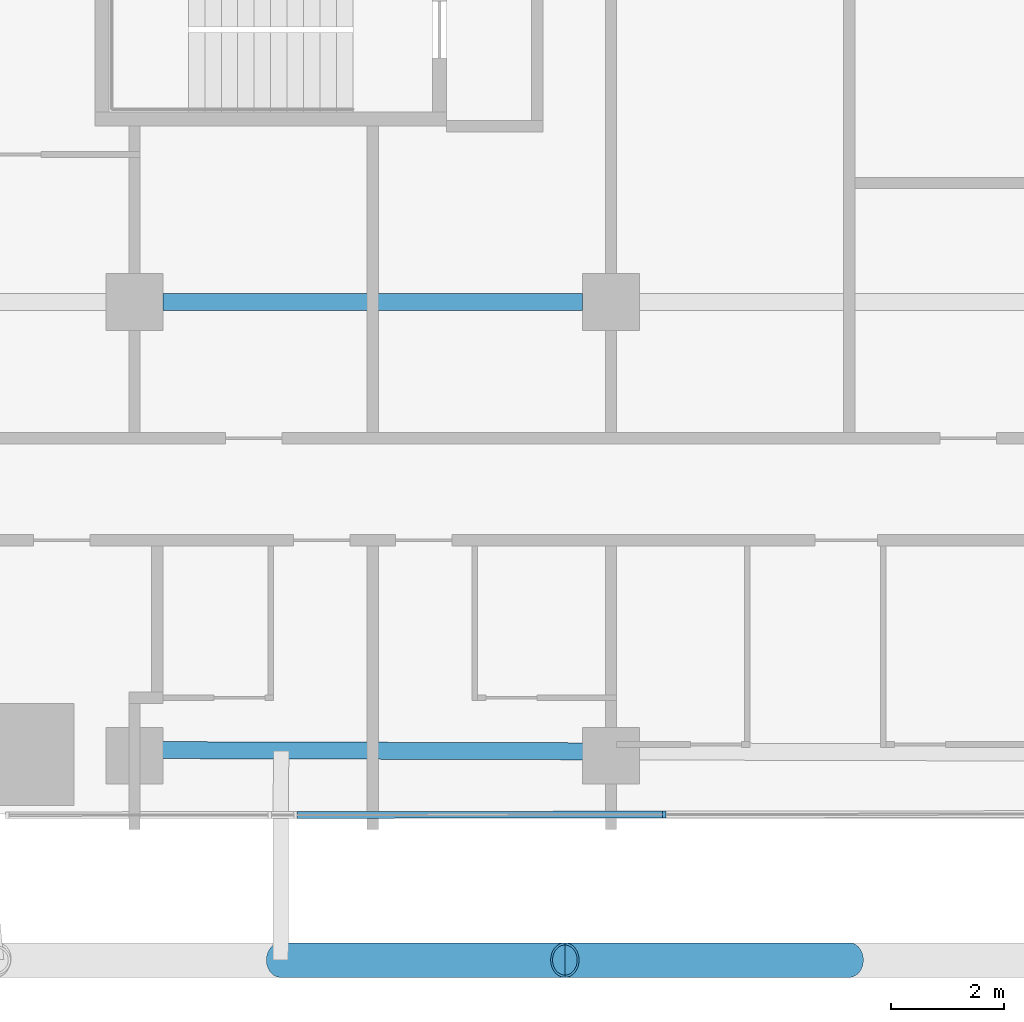
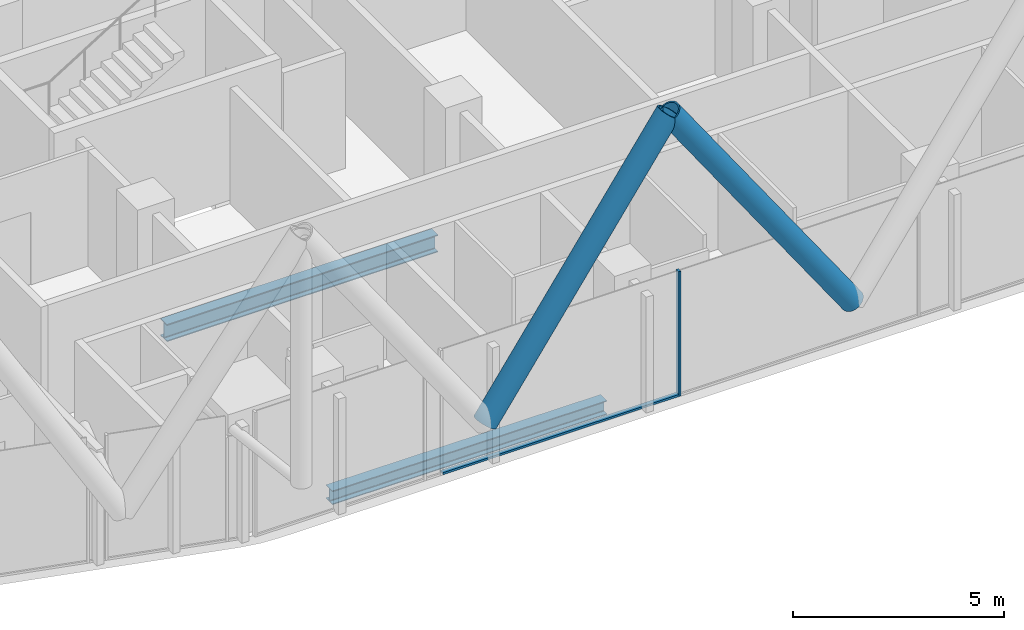
# One storey, part 3 of 38: 4 members, 2 beams, 1 element without a shape of its own.
"""IFC4 building model written with IfcOpenShell, lengths in metres."""

from ifc_helpers import new_model, si_unit, direction, frame, origin, origin_2d, place, context, subcontext, project, spatial, rectangle, hollow_circle, i_section, extrude, material, layer, layer_set, material_profile, profile_set, type_object, element, aggregate, save


model = new_model("IFC4")

# Units and contexts
model_context = context("Model", 3, precision=1e-05, world=origin(), true_north=direction((0.0, 1.0)))
body_context = subcontext(model_context, "Body", "Model", "MODEL_VIEW")
ifc_project = project(units=[si_unit("LENGTHUNIT", "METRE"), si_unit("AREAUNIT", "SQUARE_METRE"), si_unit("VOLUMEUNIT", "CUBIC_METRE"), si_unit("PLANEANGLEUNIT", "RADIAN"), si_unit("MASSUNIT", "GRAM", prefix="KILO")], contexts=[model_context])

# Site, building, storey
site_placement = place(None, origin())
site = spatial("IfcSite", under=ifc_project, at=site_placement, CompositionType="ELEMENT")
building_placement = place(site_placement, origin())
building = spatial("IfcBuilding", under=site, at=building_placement, Name="Marenta Gate Hotel Tower", CompositionType="ELEMENT")
storey_placement = place(building_placement, frame((0.0, 0.0, 54.5)))
storey = spatial("IfcBuildingStorey", under=building, at=storey_placement, Name="L11", CompositionType="ELEMENT", Elevation=54.5)

# Members
ifc_material_1 = material(Name="Steel S355J2W", Category="steel")
ifc_material_profile_1 = material_profile(ifc_material_1, hollow_circle(Radius=0.304931640625, WallThickness=0.0400390625, at=origin_2d()), Name="CHS 610x40")
ifc_profile_set_1 = profile_set([ifc_material_profile_1], Name="Steel S355J2W")
member_type_1 = type_object("IfcMemberType", Name="Diagrid diagonal Z1 CHS 610x40", PredefinedType="BRACE", material=ifc_profile_set_1)
for number, where, z_axis, x_axis, name in (
    (1, (0.0, -20.0, 3.139892578125), (-0.571379976811, 0.0, 0.820685641461), (0.0, -1.0, 0.0), "L11-DG-18"),
    (2, (-10.02587890625, -20.0, 3.139892578125), (0.571379976811, 0.0, 0.820685641461), (0.0, 1.0, 0.0), "L11-DG-19"),
):
    element("IfcMember", number, at=place(storey_placement, frame(where, z_axis=z_axis, x_axis=x_axis)), inside=storey, type_object=member_type_1, Name=name, PredefinedType="BRACE", context=body_context, shape_type="SweptSolid", body=[
        extrude(hollow_circle(Radius=0.304931640625, WallThickness=0.0400390625, at=origin_2d()), origin(), (0.0, 0.0, 1.0), 8.7734375),
    ])

# Beams
ifc_material_2 = material(Name="Steel S355", Category="steel")
ifc_material_profile_2 = material_profile(ifc_material_2, i_section(OverallWidth=0.300048828125, OverallDepth=0.39990234375, WebThickness=0.013427734375, FlangeThickness=0.02392578125, FilletRadius=0.027099609375, at=origin_2d()), Name="HEB 400")
ifc_profile_set_2 = profile_set([ifc_material_profile_2], Name="Steel S355")
beam_type_1 = type_object("IfcBeamType", Name="Edge beam HEB 400", PredefinedType="SPANDREL", material=ifc_profile_set_2)
beam_1_placement = place(storey_placement, frame((-4.659912109375, -16.31982421875, -0.4599609375), z_axis=(-0.999996151562, 0.002774321851, 0.0), x_axis=(-0.002774321851, -0.999996151562, 0.0)))
element("IfcBeam", 3, at=beam_1_placement, inside=storey, type_object=beam_type_1, Name="L11-EB-34", PredefinedType="SPANDREL", context=body_context, shape_type="SweptSolid", body=[
    extrude(i_section(OverallWidth=0.300048828125, OverallDepth=0.39990234375, WebThickness=0.013427734375, FlangeThickness=0.02392578125, FilletRadius=0.027099609375, at=origin_2d()), origin(), (0.0, 0.0, 1.0), 7.47998046875),
])
ifc_material_3 = material(Name="Steel S355", Category="steel")
ifc_material_profile_3 = material_profile(ifc_material_3, i_section(OverallWidth=0.300048828125, OverallDepth=0.5, WebThickness=0.014404296875, FlangeThickness=0.028076171875, FilletRadius=0.027099609375, at=origin_2d()), Name="HEB 500")
ifc_profile_set_3 = profile_set([ifc_material_profile_3], Name="Steel S355")
beam_type_2 = type_object("IfcBeamType", Name="Girder HEB 500", PredefinedType="BEAM", material=ifc_profile_set_3)
beam_2_placement = place(storey_placement, frame((-12.10009765625, -8.39990234375, -0.510009765625), z_axis=(1.0, 0.0, 0.0), x_axis=(0.0, 1.0, 0.0)))
element("IfcBeam", 4, at=beam_2_placement, inside=storey, type_object=beam_type_2, Name="L11-GD-3", PredefinedType="BEAM", context=body_context, shape_type="SweptSolid", body=[
    extrude(i_section(OverallWidth=0.300048828125, OverallDepth=0.5, WebThickness=0.014404296875, FlangeThickness=0.028076171875, FilletRadius=0.027099609375, at=origin_2d()), origin(), (0.0, 0.0, 1.0), 7.400146484375),
])

# Curtain wall, members
ifc_material_4 = material(Name="Tinted insulated glass in bronze anodised frame", Category="glass")
ifc_layer = layer(ifc_material_4, 0.1201171875)
ifc_layer_set = layer_set([ifc_layer], Name="Tinted insulated glass in bronze anodised frame")
curtain_wall_type = type_object("IfcCurtainWallType", Name="Tower unitised curtain wall CW1", PredefinedType="NOTDEFINED", material=ifc_layer_set)
curtain_wall_placement = place(storey_placement, origin())
curtain_wall = element("IfcCurtainWall", 5, at=curtain_wall_placement, inside=storey, type_object=curtain_wall_type, Name="CW1 run G20", PredefinedType="NOTDEFINED")
ifc_material_5 = material(Name="Bronze anodised aluminium", Category="aluminium")
ifc_material_profile_4 = material_profile(ifc_material_5, rectangle(XDim=0.1201171875, YDim=0.06005859375, at=origin_2d()), Name="Mullion CW1 60x120 bronze anodised aluminium")
ifc_profile_set_4 = profile_set([ifc_material_profile_4], Name="Bronze anodised aluminium")
member_type_2 = type_object("IfcMemberType", Name="Mullion CW1 60x120 bronze anodised aluminium", PredefinedType="MULLION", material=ifc_profile_set_4)
member_1_placement = place(storey_placement, frame((-3.259521484375, -17.434326171875, 0.0), z_axis=(0.0, 0.0, 1.0), x_axis=(-0.001163317936, 0.999999323345, 0.0)))
member_1 = element("IfcMember", 6, at=member_1_placement, type_object=member_type_2, Name="CW1 mullion 2", PredefinedType="MULLION", context=body_context, shape_type="SweptSolid", body=[
    extrude(rectangle(XDim=0.1201171875, YDim=0.06005859375, at=origin_2d()), origin(), (0.0, 0.0, 1.0), 3.60009765625),
])
ifc_material_6 = material(Name="Bronze anodised aluminium", Category="aluminium")
ifc_material_profile_5 = material_profile(ifc_material_6, rectangle(XDim=0.1201171875, YDim=0.06005859375, at=origin_2d()), Name="Transom CW1 60x120 bronze anodised aluminium")
ifc_profile_set_5 = profile_set([ifc_material_profile_5], Name="Bronze anodised aluminium")
member_type_3 = type_object("IfcMemberType", Name="Transom CW1 60x120 bronze anodised aluminium", PredefinedType="USERDEFINED", material=ifc_profile_set_5)
member_2_placement = place(storey_placement, frame((-9.732421875, -17.44189453125, 0.030029296875), z_axis=(0.999999310055, 0.001174686571, 0.0), x_axis=(-0.001174686571, 0.999999310055, 0.0)))
member_2 = element("IfcMember", 7, at=member_2_placement, type_object=member_type_3, Name="CW1 transom 1.1", ObjectType="TRANSOM", PredefinedType="USERDEFINED", context=body_context, shape_type="SweptSolid", body=[
    extrude(rectangle(XDim=0.1201171875, YDim=0.06005859375, at=origin_2d()), origin(), (0.0, 0.0, 1.0), 6.44287109375),
])
aggregate(curtain_wall, [member_1, member_2])

save(model, "model.ifc")
